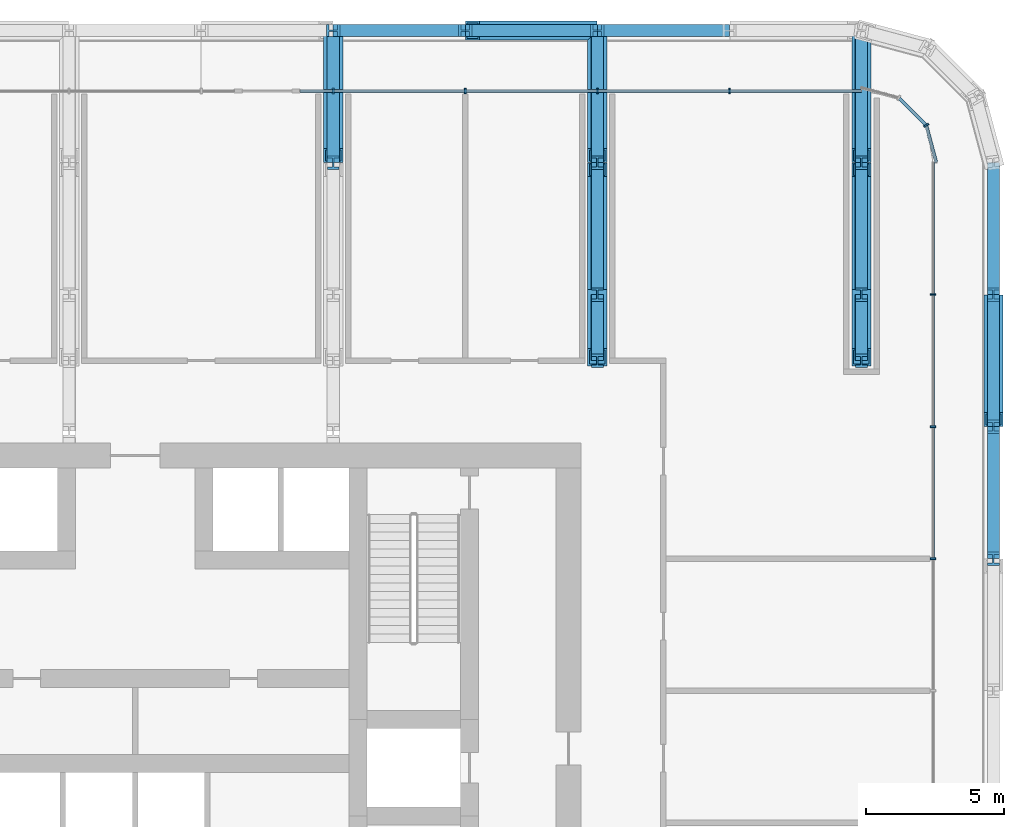
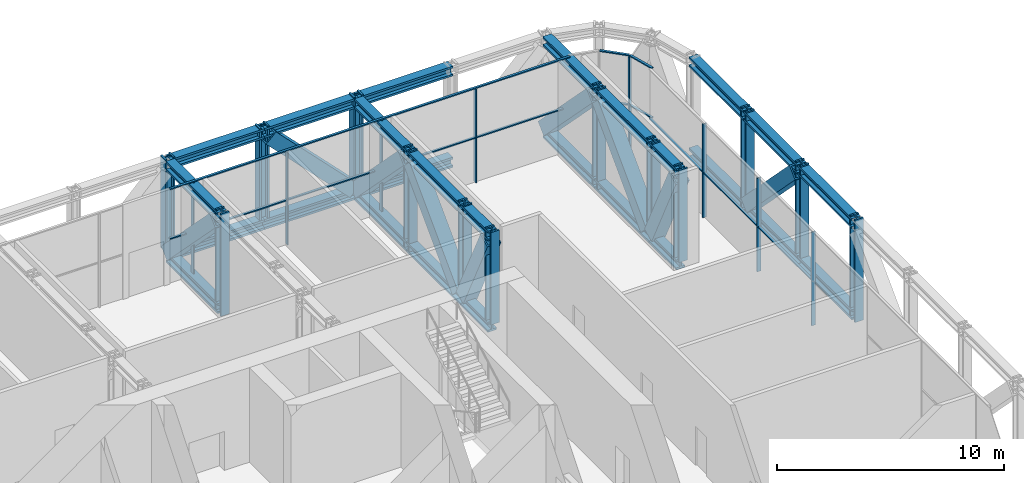
# One storey, part 10 of 23: 69 members, 3 elements without a shape of their own.
"""IFC4 building model written with IfcOpenShell, lengths in metres."""

from ifc_helpers import new_model, si_unit, direction, frame, origin, origin_2d, place, context, subcontext, project, spatial, rectangle, hollow_rectangle, i_section, extrude, material, layer, layer_set, material_profile, profile_set, type_object, element, aggregate, save


model = new_model("IFC4")

# Units and contexts
model_context = context("Model", 3, precision=1e-05, world=origin(), true_north=direction((0.0, 1.0)))
body_context = subcontext(model_context, "Body", "Model", "MODEL_VIEW")
ifc_project = project(units=[si_unit("LENGTHUNIT", "METRE"), si_unit("AREAUNIT", "SQUARE_METRE"), si_unit("VOLUMEUNIT", "CUBIC_METRE"), si_unit("PLANEANGLEUNIT", "RADIAN"), si_unit("MASSUNIT", "GRAM", prefix="KILO")], contexts=[model_context])

# Site, building, storey
site_placement = place(None, origin())
site = spatial("IfcSite", under=ifc_project, at=site_placement, CompositionType="ELEMENT")
building_placement = place(site_placement, origin())
building = spatial("IfcBuilding", under=site, at=building_placement, Name="Madar Terraces", CompositionType="ELEMENT")
storey_placement = place(building_placement, frame((0.0, 0.0, 83.800048828125)))
storey = spatial("IfcBuildingStorey", under=building, at=storey_placement, Name="L21", CompositionType="ELEMENT", Elevation=83.800048828125)

# Members
ifc_material_1 = material(Name="Steel ASTM A913 Grade 65", Category="steel")
ifc_material_profile_1 = material_profile(ifc_material_1, i_section(OverallWidth=0.449462890625, OverallDepth=0.548583984375, WebThickness=0.07177734375, FlangeThickness=0.11474609375, at=origin_2d()), Name="W14x665")
ifc_profile_set_1 = profile_set([ifc_material_profile_1], Name="Steel ASTM A913 Grade 65")
member_type_1 = type_object("IfcMemberType", Name="BC3 W14x665", PredefinedType="CHORD", material=ifc_profile_set_1)
member_1_placement = place(storey_placement, frame((62.39990234375, 33.60009765625, -0.145751953125), z_axis=(0.0, 1.0, 0.0), x_axis=(-1.0, 0.0, 0.0)))
element("IfcMember", 1, at=member_1_placement, inside=storey, type_object=member_type_1, Name="Exoskeleton truss ring bottom chord BC3", PredefinedType="CHORD", context=body_context, shape_type="SweptSolid", body=[
    extrude(i_section(OverallWidth=0.449462890625, OverallDepth=0.548583984375, WebThickness=0.07177734375, FlangeThickness=0.11474609375, at=origin_2d()), origin(), (0.0, 0.0, 1.0), 4.7998046875),
])
for number, where, z_axis, x_axis, name in (
    (2, (62.39990234375, 38.39990234375, -0.145751953125), (0.0, 1.0, 0.0), (-1.0, 0.0, 0.0), "Exoskeleton truss ring bottom chord BC3"),
    (3, (62.39990234375, 43.199951171875, -0.145751953125), (0.0, 1.0, 0.0), (-1.0, 0.0, 0.0), "Exoskeleton truss ring bottom chord BC3"),
    (4, (52.800048828125, 52.800048828125, -0.145751953125), (-1.0, 0.0, 0.0), (0.0, -1.0, 0.0), "Exoskeleton truss ring bottom chord BC3"),
    (5, (48.0, 52.800048828125, -0.145751953125), (-1.0, 0.0, 0.0), (0.0, -1.0, 0.0), "Exoskeleton truss ring bottom chord BC3"),
    (6, (43.199951171875, 52.800048828125, -0.145751953125), (-1.0, 0.0, 0.0), (0.0, -1.0, 0.0), "Exoskeleton truss ring bottom chord BC3"),
):
    element("IfcMember", number, at=place(storey_placement, frame(where, z_axis=z_axis, x_axis=x_axis)), inside=storey, type_object=member_type_1, Name=name, PredefinedType="CHORD", context=body_context, shape_type="SweptSolid", body=[
        extrude(i_section(OverallWidth=0.449462890625, OverallDepth=0.548583984375, WebThickness=0.07177734375, FlangeThickness=0.11474609375, at=origin_2d()), origin(), (0.0, 0.0, 1.0), 4.800048828125),
    ])
for number, where, z_axis, x_axis, name in (
    (7, (38.39990234375, 52.5751953125, -0.145751953125), (0.0, -1.0, 0.0), (1.0, 0.0, 0.0), "Exoskeleton truss cross N38.4 bottom chord BC3"),
    (8, (48.0, 52.5751953125, -0.145751953125), (0.0, -1.0, 0.0), (1.0, 0.0, 0.0), "Exoskeleton truss cross N48 bottom chord BC3"),
):
    element("IfcMember", number, at=place(storey_placement, frame(where, z_axis=z_axis, x_axis=x_axis)), inside=storey, type_object=member_type_1, Name=name, PredefinedType="CHORD", context=body_context, shape_type="SweptSolid", body=[
        extrude(i_section(OverallWidth=0.449462890625, OverallDepth=0.548583984375, WebThickness=0.07177734375, FlangeThickness=0.11474609375, at=origin_2d()), origin(), (0.0, 0.0, 1.0), 4.5751953125),
    ])
member_2_placement = place(storey_placement, frame((48.0, 48.0, -0.145751953125), z_axis=(0.0, -1.0, 0.0), x_axis=(1.0, 0.0, 0.0)))
element("IfcMember", 9, at=member_2_placement, inside=storey, type_object=member_type_1, Name="Exoskeleton truss cross N48 bottom chord BC3", PredefinedType="CHORD", context=body_context, shape_type="SweptSolid", body=[
    extrude(i_section(OverallWidth=0.449462890625, OverallDepth=0.548583984375, WebThickness=0.07177734375, FlangeThickness=0.11474609375, at=origin_2d()), origin(), (0.0, 0.0, 1.0), 4.800048828125),
])
member_3_placement = place(storey_placement, frame((48.0, 43.199951171875, -0.145751953125), z_axis=(0.0, -1.0, 0.0), x_axis=(1.0, 0.0, 0.0)))
element("IfcMember", 10, at=member_3_placement, inside=storey, type_object=member_type_1, Name="Exoskeleton truss cross N48 bottom chord BC3", PredefinedType="CHORD", context=body_context, shape_type="SweptSolid", body=[
    extrude(i_section(OverallWidth=0.449462890625, OverallDepth=0.548583984375, WebThickness=0.07177734375, FlangeThickness=0.11474609375, at=origin_2d()), origin(), (0.0, 0.0, 1.0), 2.39990234375),
])
member_4_placement = place(storey_placement, frame((57.60009765625, 52.5751953125, -0.145751953125), z_axis=(0.0, -1.0, 0.0), x_axis=(1.0, 0.0, 0.0)))
element("IfcMember", 11, at=member_4_placement, inside=storey, type_object=member_type_1, Name="Exoskeleton truss cross N57.6 bottom chord BC3", PredefinedType="CHORD", context=body_context, shape_type="SweptSolid", body=[
    extrude(i_section(OverallWidth=0.449462890625, OverallDepth=0.548583984375, WebThickness=0.07177734375, FlangeThickness=0.11474609375, at=origin_2d()), origin(), (0.0, 0.0, 1.0), 4.5751953125),
])
member_5_placement = place(storey_placement, frame((57.60009765625, 48.0, -0.145751953125), z_axis=(0.0, -1.0, 0.0), x_axis=(1.0, 0.0, 0.0)))
element("IfcMember", 12, at=member_5_placement, inside=storey, type_object=member_type_1, Name="Exoskeleton truss cross N57.6 bottom chord BC3", PredefinedType="CHORD", context=body_context, shape_type="SweptSolid", body=[
    extrude(i_section(OverallWidth=0.449462890625, OverallDepth=0.548583984375, WebThickness=0.07177734375, FlangeThickness=0.11474609375, at=origin_2d()), origin(), (0.0, 0.0, 1.0), 4.800048828125),
])
member_6_placement = place(storey_placement, frame((57.60009765625, 43.199951171875, -0.145751953125), z_axis=(0.0, -1.0, 0.0), x_axis=(1.0, 0.0, 0.0)))
element("IfcMember", 13, at=member_6_placement, inside=storey, type_object=member_type_1, Name="Exoskeleton truss cross N57.6 bottom chord BC3", PredefinedType="CHORD", context=body_context, shape_type="SweptSolid", body=[
    extrude(i_section(OverallWidth=0.449462890625, OverallDepth=0.548583984375, WebThickness=0.07177734375, FlangeThickness=0.11474609375, at=origin_2d()), origin(), (0.0, 0.0, 1.0), 2.39990234375),
])

# Curtain wall, members
ifc_material_2 = material(Name="Glass, ceramic frit dark grey, with black aluminium frame", Category="aluminium")
ifc_layer = layer(ifc_material_2, 0.199951171875)
ifc_layer_set = layer_set([ifc_layer], Name="Facade curtain wall, tall glazing")
curtain_wall_type = type_object("IfcCurtainWallType", Name="Facade curtain wall, tall glazing", PredefinedType="NOTDEFINED", material=ifc_layer_set)
curtain_wall_1_placement = place(storey_placement, origin())
curtain_wall_1 = element("IfcCurtainWall", 14, at=curtain_wall_1_placement, inside=storey, type_object=curtain_wall_type, Name="Outer skin curtain wall east bay 1", PredefinedType="NOTDEFINED")
ifc_material_3 = material(Name="Aluminium, black anodised", Category="aluminium")
ifc_material_profile_2 = material_profile(ifc_material_3, rectangle(XDim=0.199951171875, YDim=0.06005859375, at=origin_2d()), Name="Facade mullion 60x200")
ifc_profile_set_2 = profile_set([ifc_material_profile_2], Name="Aluminium, black anodised")
member_type_2 = type_object("IfcMemberType", Name="Facade mullion 60x200", PredefinedType="MULLION", material=ifc_profile_set_2)
member_7_placement = place(storey_placement, frame((60.199951171875, 33.60009765625, 0.0), z_axis=(0.0, 0.0, 1.0), x_axis=(-1.0, 0.0, 0.0)))
member_7 = element("IfcMember", 15, at=member_7_placement, type_object=member_type_2, Name="Mullion 5", PredefinedType="MULLION", context=body_context, shape_type="SweptSolid", body=[
    extrude(rectangle(XDim=0.199951171875, YDim=0.06005859375, at=origin_2d()), origin(), (0.0, 0.0, 1.0), 5.0400390625),
])
member_8_placement = place(storey_placement, frame((60.199951171875, 38.39990234375, 0.0), z_axis=(0.0, 0.0, 1.0), x_axis=(-1.0, 0.0, 0.0)))
member_8 = element("IfcMember", 16, at=member_8_placement, type_object=member_type_2, Name="Mullion 6", PredefinedType="MULLION", context=body_context, shape_type="SweptSolid", body=[
    extrude(rectangle(XDim=0.199951171875, YDim=0.06005859375, at=origin_2d()), origin(), (0.0, 0.0, 1.0), 5.0400390625),
])
member_9_placement = place(storey_placement, frame((60.199951171875, 43.199951171875, 0.0), z_axis=(0.0, 0.0, 1.0), x_axis=(-1.0, 0.0, 0.0)))
member_9 = element("IfcMember", 17, at=member_9_placement, type_object=member_type_2, Name="Mullion 7", PredefinedType="MULLION", context=body_context, shape_type="SweptSolid", body=[
    extrude(rectangle(XDim=0.199951171875, YDim=0.06005859375, at=origin_2d()), origin(), (0.0, 0.0, 1.0), 5.0400390625),
])

curtain_wall_2_placement = place(storey_placement, origin())
curtain_wall_2 = element("IfcCurtainWall", 18, at=curtain_wall_2_placement, inside=storey, type_object=curtain_wall_type, Name="Outer skin curtain wall north bay 1", PredefinedType="NOTDEFINED")
member_10_placement = place(storey_placement, frame((52.800048828125, 50.60009765625, 0.0), z_axis=(0.0, 0.0, 1.0), x_axis=(0.0, -1.0, 0.0)))
member_10 = element("IfcMember", 19, at=member_10_placement, type_object=member_type_2, Name="Mullion 1", PredefinedType="MULLION", context=body_context, shape_type="SweptSolid", body=[
    extrude(rectangle(XDim=0.199951171875, YDim=0.06005859375, at=origin_2d()), origin(), (0.0, 0.0, 1.0), 5.0400390625),
])
member_11_placement = place(storey_placement, frame((48.0, 50.60009765625, 0.0), z_axis=(0.0, 0.0, 1.0), x_axis=(0.0, -1.0, 0.0)))
member_11 = element("IfcMember", 20, at=member_11_placement, type_object=member_type_2, Name="Mullion 2", PredefinedType="MULLION", context=body_context, shape_type="SweptSolid", body=[
    extrude(rectangle(XDim=0.199951171875, YDim=0.06005859375, at=origin_2d()), origin(), (0.0, 0.0, 1.0), 5.0400390625),
])
member_12_placement = place(storey_placement, frame((43.199951171875, 50.60009765625, 0.0), z_axis=(0.0, 0.0, 1.0), x_axis=(0.0, -1.0, 0.0)))
member_12 = element("IfcMember", 21, at=member_12_placement, type_object=member_type_2, Name="Mullion 3", PredefinedType="MULLION", context=body_context, shape_type="SweptSolid", body=[
    extrude(rectangle(XDim=0.199951171875, YDim=0.06005859375, at=origin_2d()), origin(), (0.0, 0.0, 1.0), 5.0400390625),
])
member_13_placement = place(storey_placement, frame((38.39990234375, 50.60009765625, 0.0), z_axis=(0.0, 0.0, 1.0), x_axis=(0.0, -1.0, 0.0)))
member_13 = element("IfcMember", 22, at=member_13_placement, type_object=member_type_2, Name="Mullion 4", PredefinedType="MULLION", context=body_context, shape_type="SweptSolid", body=[
    extrude(rectangle(XDim=0.199951171875, YDim=0.06005859375, at=origin_2d()), origin(), (0.0, 0.0, 1.0), 5.0400390625),
])

# Curtain wall, member
curtain_wall_3_placement = place(storey_placement, origin())
curtain_wall_3 = element("IfcCurtainWall", 23, at=curtain_wall_3_placement, inside=storey, type_object=curtain_wall_type, Name="Outer skin curtain wall north-east corner", PredefinedType="NOTDEFINED")
member_14_placement = place(storey_placement, frame((59.95556640625, 49.360107421875, 0.0), z_axis=(0.0, 0.0, 1.0), x_axis=(-0.866025386925, -0.500000029202, 0.0)))
member_14 = element("IfcMember", 24, at=member_14_placement, type_object=member_type_2, Name="Mullion 1", PredefinedType="MULLION", context=body_context, shape_type="SweptSolid", body=[
    extrude(rectangle(XDim=0.199951171875, YDim=0.06005859375, at=origin_2d()), origin(), (0.0, 0.0, 1.0), 5.0400390625),
])

# Member
ifc_material_4 = material(Name="Aluminium, black anodised", Category="aluminium")
ifc_material_profile_3 = material_profile(ifc_material_4, rectangle(XDim=0.1201171875, YDim=0.06005859375, at=origin_2d()), Name="Facade transom 60x120")
ifc_profile_set_3 = profile_set([ifc_material_profile_3], Name="Aluminium, black anodised")
member_type_3 = type_object("IfcMemberType", Name="Facade transom 60x120", PredefinedType="USERDEFINED", material=ifc_profile_set_3)
member_15_placement = place(storey_placement, frame((60.199951171875, 33.6298828125, 2.39990234375), z_axis=(0.0, 1.0, 0.0), x_axis=(-1.0, 0.0, 0.0)))
member_15 = element("IfcMember", 25, at=member_15_placement, type_object=member_type_3, Name="Transom 7", ObjectType="TRANSOM", PredefinedType="USERDEFINED", context=body_context, shape_type="SweptSolid", body=[
    extrude(rectangle(XDim=0.1201171875, YDim=0.06005859375, at=origin_2d()), origin(), (0.0, 0.0, 1.0), 4.740234375),
])

member_16_placement = place(storey_placement, frame((60.199951171875, 38.429931640625, 2.39990234375), z_axis=(0.0, 1.0, 0.0), x_axis=(-1.0, 0.0, 0.0)))
member_16 = element("IfcMember", 26, at=member_16_placement, type_object=member_type_3, Name="Transom 8", ObjectType="TRANSOM", PredefinedType="USERDEFINED", context=body_context, shape_type="SweptSolid", body=[
    extrude(rectangle(XDim=0.1201171875, YDim=0.06005859375, at=origin_2d()), origin(), (0.0, 0.0, 1.0), 4.739990234375),
])

member_17_placement = place(storey_placement, frame((60.199951171875, 43.22998046875, 2.39990234375), z_axis=(0.0, 1.0, 0.0), x_axis=(-1.0, 0.0, 0.0)))
member_17 = element("IfcMember", 27, at=member_17_placement, type_object=member_type_3, Name="Transom 9", ObjectType="TRANSOM", PredefinedType="USERDEFINED", context=body_context, shape_type="SweptSolid", body=[
    extrude(rectangle(XDim=0.1201171875, YDim=0.06005859375, at=origin_2d()), origin(), (0.0, 0.0, 1.0), 4.77001953125),
])

aggregate(curtain_wall_1, [member_7, member_8, member_9, member_15, member_16, member_17])

member_18_placement = place(storey_placement, frame((57.60009765625, 50.60009765625, 5.070068359375), z_axis=(-1.0, 0.0, 0.0), x_axis=(0.0, -1.0, 0.0)))
member_18 = element("IfcMember", 28, at=member_18_placement, type_object=member_type_3, Name="Transom 1", ObjectType="TRANSOM", PredefinedType="USERDEFINED", context=body_context, shape_type="SweptSolid", body=[
    extrude(rectangle(XDim=0.1201171875, YDim=0.06005859375, at=origin_2d()), origin(), (0.0, 0.0, 1.0), 20.400146484375),
])

member_19_placement = place(storey_placement, frame((57.60009765625, 50.60009765625, 2.39990234375), z_axis=(-1.0, 0.0, 0.0), x_axis=(0.0, -1.0, 0.0)))
member_19 = element("IfcMember", 29, at=member_19_placement, type_object=member_type_3, Name="Transom 2", ObjectType="TRANSOM", PredefinedType="USERDEFINED", context=body_context, shape_type="SweptSolid", body=[
    extrude(rectangle(XDim=0.1201171875, YDim=0.06005859375, at=origin_2d()), origin(), (0.0, 0.0, 1.0), 4.77001953125),
])

member_20_placement = place(storey_placement, frame((52.77001953125, 50.60009765625, 2.39990234375), z_axis=(-1.0, 0.0, 0.0), x_axis=(0.0, -1.0, 0.0)))
member_20 = element("IfcMember", 30, at=member_20_placement, type_object=member_type_3, Name="Transom 3", ObjectType="TRANSOM", PredefinedType="USERDEFINED", context=body_context, shape_type="SweptSolid", body=[
    extrude(rectangle(XDim=0.1201171875, YDim=0.06005859375, at=origin_2d()), origin(), (0.0, 0.0, 1.0), 4.739990234375),
])

member_21_placement = place(storey_placement, frame((47.969970703125, 50.60009765625, 2.39990234375), z_axis=(-1.0, 0.0, 0.0), x_axis=(0.0, -1.0, 0.0)))
member_21 = element("IfcMember", 31, at=member_21_placement, type_object=member_type_3, Name="Transom 4", ObjectType="TRANSOM", PredefinedType="USERDEFINED", context=body_context, shape_type="SweptSolid", body=[
    extrude(rectangle(XDim=0.1201171875, YDim=0.06005859375, at=origin_2d()), origin(), (0.0, 0.0, 1.0), 4.739990234375),
])

member_22_placement = place(storey_placement, frame((43.169921875, 50.60009765625, 2.39990234375), z_axis=(-1.0, 0.0, 0.0), x_axis=(0.0, -1.0, 0.0)))
member_22 = element("IfcMember", 32, at=member_22_placement, type_object=member_type_3, Name="Transom 5", ObjectType="TRANSOM", PredefinedType="USERDEFINED", context=body_context, shape_type="SweptSolid", body=[
    extrude(rectangle(XDim=0.1201171875, YDim=0.06005859375, at=origin_2d()), origin(), (0.0, 0.0, 1.0), 4.739990234375),
])

member_23_placement = place(storey_placement, frame((38.3701171875, 50.60009765625, 2.39990234375), z_axis=(-1.0, 0.0, 0.0), x_axis=(0.0, -1.0, 0.0)))
member_23 = element("IfcMember", 33, at=member_23_placement, type_object=member_type_3, Name="Transom 6", ObjectType="TRANSOM", PredefinedType="USERDEFINED", context=body_context, shape_type="SweptSolid", body=[
    extrude(rectangle(XDim=0.1201171875, YDim=0.06005859375, at=origin_2d()), origin(), (0.0, 0.0, 1.0), 1.170166015625),
])

aggregate(curtain_wall_2, [member_10, member_11, member_12, member_13, member_18, member_19, member_20, member_21, member_22, member_23])

member_24_placement = place(storey_placement, frame((60.320068359375, 48.0, 5.070068359375), z_axis=(-0.258842352791, 0.965919580711, 0.0), x_axis=(-0.965919580711, -0.258842352791, 0.0)))
member_24 = element("IfcMember", 34, at=member_24_placement, type_object=member_type_3, Name="Transom 1", ObjectType="TRANSOM", PredefinedType="USERDEFINED", context=body_context, shape_type="SweptSolid", body=[
    extrude(rectangle(XDim=0.1201171875, YDim=0.06005859375, at=origin_2d()), origin(), (0.0, 0.0, 1.0), 1.3779296875),
])

member_25_placement = place(storey_placement, frame((60.320068359375, 48.0, 2.39990234375), z_axis=(-0.258842352791, 0.965919580711, 0.0), x_axis=(-0.965919580711, -0.258842352791, 0.0)))
member_25 = element("IfcMember", 35, at=member_25_placement, type_object=member_type_3, Name="Transom 2", ObjectType="TRANSOM", PredefinedType="USERDEFINED", context=body_context, shape_type="SweptSolid", body=[
    extrude(rectangle(XDim=0.1201171875, YDim=0.06005859375, at=origin_2d()), origin(), (0.0, 0.0, 1.0), 1.3779296875),
])

member_26_placement = place(storey_placement, frame((59.934326171875, 49.381103515625, 5.070068359375), z_axis=(-0.707016225155, 0.707197325622, 0.0), x_axis=(-0.707197325622, -0.707016225155, 0.0)))
member_26 = element("IfcMember", 36, at=member_26_placement, type_object=member_type_3, Name="Transom 3", ObjectType="TRANSOM", PredefinedType="USERDEFINED", context=body_context, shape_type="SweptSolid", body=[
    extrude(rectangle(XDim=0.1201171875, YDim=0.06005859375, at=origin_2d()), origin(), (0.0, 0.0, 1.0), 1.34814453125),
])

member_27_placement = place(storey_placement, frame((59.934326171875, 49.381103515625, 2.39990234375), z_axis=(-0.707016225155, 0.707197325622, 0.0), x_axis=(-0.707197325622, -0.707016225155, 0.0)))
member_27 = element("IfcMember", 37, at=member_27_placement, type_object=member_type_3, Name="Transom 4", ObjectType="TRANSOM", PredefinedType="USERDEFINED", context=body_context, shape_type="SweptSolid", body=[
    extrude(rectangle(XDim=0.1201171875, YDim=0.06005859375, at=origin_2d()), origin(), (0.0, 0.0, 1.0), 1.34814453125),
])

aggregate(curtain_wall_3, [member_14, member_24, member_25, member_26, member_27])

# Members
ifc_material_5 = material(Name="Steel ASTM A913 Grade 65", Category="steel")
ifc_material_profile_4 = material_profile(ifc_material_5, i_section(OverallWidth=0.44189453125, OverallDepth=0.53076171875, WebThickness=0.06591796875, FlangeThickness=0.105712890625, at=origin_2d()), Name="W14x605")
ifc_profile_set_4 = profile_set([ifc_material_profile_4], Name="Steel ASTM A913 Grade 65")
member_type_4 = type_object("IfcMemberType", Name="TC3 W14x605", PredefinedType="CHORD", material=ifc_profile_set_4)
member_28_placement = place(storey_placement, frame((62.39990234375, 33.60009765625, 4.764404296875), z_axis=(0.0, 1.0, 0.0), x_axis=(-1.0, 0.0, 0.0)))
element("IfcMember", 38, at=member_28_placement, inside=storey, type_object=member_type_4, Name="Exoskeleton truss ring top chord TC3", PredefinedType="CHORD", context=body_context, shape_type="SweptSolid", body=[
    extrude(i_section(OverallWidth=0.44189453125, OverallDepth=0.53076171875, WebThickness=0.06591796875, FlangeThickness=0.105712890625, at=origin_2d()), origin(), (0.0, 0.0, 1.0), 4.7998046875),
])
for number, where, z_axis, x_axis, name in (
    (39, (62.39990234375, 38.39990234375, 4.764404296875), (0.0, 1.0, 0.0), (-1.0, 0.0, 0.0), "Exoskeleton truss ring top chord TC3"),
    (40, (62.39990234375, 43.199951171875, 4.764404296875), (0.0, 1.0, 0.0), (-1.0, 0.0, 0.0), "Exoskeleton truss ring top chord TC3"),
    (41, (52.800048828125, 52.800048828125, 4.764404296875), (-1.0, 0.0, 0.0), (0.0, -1.0, 0.0), "Exoskeleton truss ring top chord TC3"),
    (42, (48.0, 52.800048828125, 4.764404296875), (-1.0, 0.0, 0.0), (0.0, -1.0, 0.0), "Exoskeleton truss ring top chord TC3"),
    (43, (43.199951171875, 52.800048828125, 4.764404296875), (-1.0, 0.0, 0.0), (0.0, -1.0, 0.0), "Exoskeleton truss ring top chord TC3"),
):
    element("IfcMember", number, at=place(storey_placement, frame(where, z_axis=z_axis, x_axis=x_axis)), inside=storey, type_object=member_type_4, Name=name, PredefinedType="CHORD", context=body_context, shape_type="SweptSolid", body=[
        extrude(i_section(OverallWidth=0.44189453125, OverallDepth=0.53076171875, WebThickness=0.06591796875, FlangeThickness=0.105712890625, at=origin_2d()), origin(), (0.0, 0.0, 1.0), 4.800048828125),
    ])
for number, where, z_axis, x_axis, name in (
    (44, (38.39990234375, 52.5791015625, 4.764404296875), (0.0, -1.0, 0.0), (1.0, 0.0, 0.0), "Exoskeleton truss cross N38.4 top chord TC3"),
    (45, (48.0, 52.5791015625, 4.764404296875), (0.0, -1.0, 0.0), (1.0, 0.0, 0.0), "Exoskeleton truss cross N48 top chord TC3"),
):
    element("IfcMember", number, at=place(storey_placement, frame(where, z_axis=z_axis, x_axis=x_axis)), inside=storey, type_object=member_type_4, Name=name, PredefinedType="CHORD", context=body_context, shape_type="SweptSolid", body=[
        extrude(i_section(OverallWidth=0.44189453125, OverallDepth=0.53076171875, WebThickness=0.06591796875, FlangeThickness=0.105712890625, at=origin_2d()), origin(), (0.0, 0.0, 1.0), 4.5791015625),
    ])
member_29_placement = place(storey_placement, frame((48.0, 48.0, 4.764404296875), z_axis=(0.0, -1.0, 0.0), x_axis=(1.0, 0.0, 0.0)))
element("IfcMember", 46, at=member_29_placement, inside=storey, type_object=member_type_4, Name="Exoskeleton truss cross N48 top chord TC3", PredefinedType="CHORD", context=body_context, shape_type="SweptSolid", body=[
    extrude(i_section(OverallWidth=0.44189453125, OverallDepth=0.53076171875, WebThickness=0.06591796875, FlangeThickness=0.105712890625, at=origin_2d()), origin(), (0.0, 0.0, 1.0), 4.800048828125),
])
member_30_placement = place(storey_placement, frame((48.0, 43.199951171875, 4.764404296875), z_axis=(0.0, -1.0, 0.0), x_axis=(1.0, 0.0, 0.0)))
element("IfcMember", 47, at=member_30_placement, inside=storey, type_object=member_type_4, Name="Exoskeleton truss cross N48 top chord TC3", PredefinedType="CHORD", context=body_context, shape_type="SweptSolid", body=[
    extrude(i_section(OverallWidth=0.44189453125, OverallDepth=0.53076171875, WebThickness=0.06591796875, FlangeThickness=0.105712890625, at=origin_2d()), origin(), (0.0, 0.0, 1.0), 2.39990234375),
])
member_31_placement = place(storey_placement, frame((57.60009765625, 52.5791015625, 4.764404296875), z_axis=(0.0, -1.0, 0.0), x_axis=(1.0, 0.0, 0.0)))
element("IfcMember", 48, at=member_31_placement, inside=storey, type_object=member_type_4, Name="Exoskeleton truss cross N57.6 top chord TC3", PredefinedType="CHORD", context=body_context, shape_type="SweptSolid", body=[
    extrude(i_section(OverallWidth=0.44189453125, OverallDepth=0.53076171875, WebThickness=0.06591796875, FlangeThickness=0.105712890625, at=origin_2d()), origin(), (0.0, 0.0, 1.0), 4.5791015625),
])
member_32_placement = place(storey_placement, frame((57.60009765625, 48.0, 4.764404296875), z_axis=(0.0, -1.0, 0.0), x_axis=(1.0, 0.0, 0.0)))
element("IfcMember", 49, at=member_32_placement, inside=storey, type_object=member_type_4, Name="Exoskeleton truss cross N57.6 top chord TC3", PredefinedType="CHORD", context=body_context, shape_type="SweptSolid", body=[
    extrude(i_section(OverallWidth=0.44189453125, OverallDepth=0.53076171875, WebThickness=0.06591796875, FlangeThickness=0.105712890625, at=origin_2d()), origin(), (0.0, 0.0, 1.0), 4.800048828125),
])
member_33_placement = place(storey_placement, frame((57.60009765625, 43.199951171875, 4.764404296875), z_axis=(0.0, -1.0, 0.0), x_axis=(1.0, 0.0, 0.0)))
element("IfcMember", 50, at=member_33_placement, inside=storey, type_object=member_type_4, Name="Exoskeleton truss cross N57.6 top chord TC3", PredefinedType="CHORD", context=body_context, shape_type="SweptSolid", body=[
    extrude(i_section(OverallWidth=0.44189453125, OverallDepth=0.53076171875, WebThickness=0.06591796875, FlangeThickness=0.105712890625, at=origin_2d()), origin(), (0.0, 0.0, 1.0), 2.39990234375),
])
ifc_material_6 = material(Name="Steel ASTM A572 Grade 50", Category="steel")
ifc_material_profile_5 = material_profile(ifc_material_6, hollow_rectangle(XDim=0.699951171875, YDim=0.699951171875, WallThickness=0.070068359375, at=origin_2d()), Name="BOX700x700x70")
ifc_profile_set_5 = profile_set([ifc_material_profile_5], Name="Steel ASTM A572 Grade 50")
member_type_5 = type_object("IfcMemberType", Name="TD3 BOX700x700x70", PredefinedType="BRACE", material=ifc_profile_set_5)
for number, where, z_axis, x_axis, name in (
    (51, (62.39990234375, 38.659423828125, 4.4990234375), (0.0, 0.699052279579, -0.715070563242), (-1.0, 0.0, 0.0), "Exoskeleton truss ring diagonal TD3"),
    (52, (47.73193359375, 52.800048828125, 0.128662109375), (-0.699052279579, 0.0, 0.715070563242), (0.0, -1.0, 0.0), "Exoskeleton truss ring diagonal TD3"),
):
    element("IfcMember", number, at=place(storey_placement, frame(where, z_axis=z_axis, x_axis=x_axis)), inside=storey, type_object=member_type_5, Name=name, PredefinedType="BRACE", context=body_context, shape_type="SweptSolid", body=[
        extrude(hollow_rectangle(XDim=0.699951171875, YDim=0.699951171875, WallThickness=0.070068359375, at=origin_2d()), origin(), (0.0, 0.0, 1.0), 6.11181640625),
    ])
for number, where, z_axis, x_axis, name in (
    (53, (38.39990234375, 52.53173828125, 0.128662109375), (0.0, -0.699031853378, 0.715090531306), (1.0, 0.0, 0.0), "Exoskeleton truss cross N38.4 diagonal TD3"),
    (54, (48.0, 52.53173828125, 0.128662109375), (0.0, -0.699031853378, 0.715090531306), (1.0, 0.0, 0.0), "Exoskeleton truss cross N48 diagonal TD3"),
    (55, (48.0, 47.740478515625, 4.4990234375), (0.0, -0.699031853378, -0.715090531306), (1.0, 0.0, 0.0), "Exoskeleton truss cross N48 diagonal TD3"),
):
    element("IfcMember", number, at=place(storey_placement, frame(where, z_axis=z_axis, x_axis=x_axis)), inside=storey, type_object=member_type_5, Name=name, PredefinedType="BRACE", context=body_context, shape_type="SweptSolid", body=[
        extrude(hollow_rectangle(XDim=0.699951171875, YDim=0.699951171875, WallThickness=0.070068359375, at=origin_2d()), origin(), (0.0, 0.0, 1.0), 6.111572265625),
    ])
member_34_placement = place(storey_placement, frame((48.0, 43.06591796875, 0.128662109375), z_axis=(0.0, -0.439145320484, 0.898416043655), x_axis=(1.0, 0.0, 0.0)))
element("IfcMember", 56, at=member_34_placement, inside=storey, type_object=member_type_5, Name="Exoskeleton truss cross N48 diagonal TD3", PredefinedType="BRACE", context=body_context, shape_type="SweptSolid", body=[
    extrude(hollow_rectangle(XDim=0.699951171875, YDim=0.699951171875, WallThickness=0.070068359375, at=origin_2d()), origin(), (0.0, 0.0, 1.0), 4.864501953125),
])
for number, where, z_axis, x_axis, name in (
    (57, (57.60009765625, 52.53173828125, 0.128662109375), (0.0, -0.699031853378, 0.715090531306), (1.0, 0.0, 0.0), "Exoskeleton truss cross N57.6 diagonal TD3"),
    (58, (57.60009765625, 47.740478515625, 4.4990234375), (0.0, -0.699031853378, -0.715090531306), (1.0, 0.0, 0.0), "Exoskeleton truss cross N57.6 diagonal TD3"),
):
    element("IfcMember", number, at=place(storey_placement, frame(where, z_axis=z_axis, x_axis=x_axis)), inside=storey, type_object=member_type_5, Name=name, PredefinedType="BRACE", context=body_context, shape_type="SweptSolid", body=[
        extrude(hollow_rectangle(XDim=0.699951171875, YDim=0.699951171875, WallThickness=0.070068359375, at=origin_2d()), origin(), (0.0, 0.0, 1.0), 6.111572265625),
    ])
member_35_placement = place(storey_placement, frame((57.60009765625, 43.06591796875, 0.128662109375), z_axis=(0.0, -0.439145320484, 0.898416043655), x_axis=(1.0, 0.0, 0.0)))
element("IfcMember", 59, at=member_35_placement, inside=storey, type_object=member_type_5, Name="Exoskeleton truss cross N57.6 diagonal TD3", PredefinedType="BRACE", context=body_context, shape_type="SweptSolid", body=[
    extrude(hollow_rectangle(XDim=0.699951171875, YDim=0.699951171875, WallThickness=0.070068359375, at=origin_2d()), origin(), (0.0, 0.0, 1.0), 4.864501953125),
])
ifc_material_7 = material(Name="Steel ASTM A913 Grade 65", Category="steel")
ifc_material_profile_6 = material_profile(ifc_material_7, i_section(OverallWidth=0.431884765625, OverallDepth=0.497802734375, WebThickness=0.0556640625, FlangeThickness=0.0888671875, at=origin_2d()), Name="W14x500")
ifc_profile_set_6 = profile_set([ifc_material_profile_6], Name="Steel ASTM A913 Grade 65")
member_type_6 = type_object("IfcMemberType", Name="TV3 W14x500", PredefinedType="POST", material=ifc_profile_set_6)
member_36_placement = place(storey_placement, frame((62.39990234375, 33.60009765625, -0.420166015625), z_axis=(0.0, 0.0, 1.0), x_axis=(-1.0, 0.0, 0.0)))
element("IfcMember", 60, at=member_36_placement, inside=storey, type_object=member_type_6, Name="Exoskeleton truss ring post TV3", PredefinedType="POST", context=body_context, shape_type="SweptSolid", body=[
    extrude(i_section(OverallWidth=0.431884765625, OverallDepth=0.497802734375, WebThickness=0.0556640625, FlangeThickness=0.0888671875, at=origin_2d()), origin(), (0.0, 0.0, 1.0), 5.52001953125),
])
member_37_placement = place(storey_placement, frame((62.39990234375, 38.39990234375, 0.128662109375), z_axis=(0.0, 0.0, 1.0), x_axis=(-1.0, 0.0, 0.0)))
element("IfcMember", 61, at=member_37_placement, inside=storey, type_object=member_type_6, Name="Exoskeleton truss ring post TV3", PredefinedType="POST", context=body_context, shape_type="SweptSolid", body=[
    extrude(i_section(OverallWidth=0.431884765625, OverallDepth=0.497802734375, WebThickness=0.0556640625, FlangeThickness=0.0888671875, at=origin_2d()), origin(), (0.0, 0.0, 1.0), 4.97119140625),
])
member_38_placement = place(storey_placement, frame((62.39990234375, 43.199951171875, -0.420166015625), z_axis=(0.0, 0.0, 1.0), x_axis=(-1.0, 0.0, 0.0)))
element("IfcMember", 62, at=member_38_placement, inside=storey, type_object=member_type_6, Name="Exoskeleton truss ring post TV3", PredefinedType="POST", context=body_context, shape_type="SweptSolid", body=[
    extrude(i_section(OverallWidth=0.431884765625, OverallDepth=0.497802734375, WebThickness=0.0556640625, FlangeThickness=0.0888671875, at=origin_2d()), origin(), (0.0, 0.0, 1.0), 5.52001953125),
])
for number, where, z_axis, x_axis, name in (
    (63, (48.0, 52.800048828125, 0.128662109375), (0.0, 0.0, 1.0), (0.0, -1.0, 0.0), "Exoskeleton truss ring post TV3"),
    (64, (43.199951171875, 52.800048828125, 0.128662109375), (0.0, 0.0, 1.0), (0.0, -1.0, 0.0), "Exoskeleton truss ring post TV3"),
    (65, (38.39990234375, 52.800048828125, 0.128662109375), (0.0, 0.0, 1.0), (0.0, -1.0, 0.0), "Exoskeleton truss ring post TV3"),
):
    element("IfcMember", number, at=place(storey_placement, frame(where, z_axis=z_axis, x_axis=x_axis)), inside=storey, type_object=member_type_6, Name=name, PredefinedType="POST", context=body_context, shape_type="SweptSolid", body=[
        extrude(i_section(OverallWidth=0.431884765625, OverallDepth=0.497802734375, WebThickness=0.0556640625, FlangeThickness=0.0888671875, at=origin_2d()), origin(), (0.0, 0.0, 1.0), 4.97119140625),
    ])
for number, where, z_axis, x_axis, name in (
    (66, (38.39990234375, 48.0, -0.420166015625), (0.0, 0.0, 1.0), (-1.0, 0.0, 0.0), "Exoskeleton truss cross N38.4 post TV3"),
    (67, (48.0, 48.0, -0.420166015625), (0.0, 0.0, 1.0), (-1.0, 0.0, 0.0), "Exoskeleton truss cross N48 post TV3"),
):
    element("IfcMember", number, at=place(storey_placement, frame(where, z_axis=z_axis, x_axis=x_axis)), inside=storey, type_object=member_type_6, Name=name, PredefinedType="POST", context=body_context, shape_type="SweptSolid", body=[
        extrude(i_section(OverallWidth=0.431884765625, OverallDepth=0.497802734375, WebThickness=0.0556640625, FlangeThickness=0.0888671875, at=origin_2d()), origin(), (0.0, 0.0, 1.0), 5.52001953125),
    ])
for number, where, z_axis, x_axis, name in (
    (68, (48.0, 43.199951171875, 0.128662109375), (0.0, 0.0, 1.0), (-1.0, 0.0, 0.0), "Exoskeleton truss cross N48 post TV3"),
    (69, (48.0, 40.800048828125, 0.128662109375), (0.0, 0.0, 1.0), (-1.0, 0.0, 0.0), "Exoskeleton truss cross N48 post TV3"),
):
    element("IfcMember", number, at=place(storey_placement, frame(where, z_axis=z_axis, x_axis=x_axis)), inside=storey, type_object=member_type_6, Name=name, PredefinedType="POST", context=body_context, shape_type="SweptSolid", body=[
        extrude(i_section(OverallWidth=0.431884765625, OverallDepth=0.497802734375, WebThickness=0.0556640625, FlangeThickness=0.0888671875, at=origin_2d()), origin(), (0.0, 0.0, 1.0), 4.97119140625),
    ])
member_39_placement = place(storey_placement, frame((57.60009765625, 48.0, -0.420166015625), z_axis=(0.0, 0.0, 1.0), x_axis=(-1.0, 0.0, 0.0)))
element("IfcMember", 70, at=member_39_placement, inside=storey, type_object=member_type_6, Name="Exoskeleton truss cross N57.6 post TV3", PredefinedType="POST", context=body_context, shape_type="SweptSolid", body=[
    extrude(i_section(OverallWidth=0.431884765625, OverallDepth=0.497802734375, WebThickness=0.0556640625, FlangeThickness=0.0888671875, at=origin_2d()), origin(), (0.0, 0.0, 1.0), 5.52001953125),
])
for number, where, z_axis, x_axis, name in (
    (71, (57.60009765625, 43.199951171875, 0.128662109375), (0.0, 0.0, 1.0), (-1.0, 0.0, 0.0), "Exoskeleton truss cross N57.6 post TV3"),
    (72, (57.60009765625, 40.800048828125, 0.128662109375), (0.0, 0.0, 1.0), (-1.0, 0.0, 0.0), "Exoskeleton truss cross N57.6 post TV3"),
):
    element("IfcMember", number, at=place(storey_placement, frame(where, z_axis=z_axis, x_axis=x_axis)), inside=storey, type_object=member_type_6, Name=name, PredefinedType="POST", context=body_context, shape_type="SweptSolid", body=[
        extrude(i_section(OverallWidth=0.431884765625, OverallDepth=0.497802734375, WebThickness=0.0556640625, FlangeThickness=0.0888671875, at=origin_2d()), origin(), (0.0, 0.0, 1.0), 4.97119140625),
    ])

save(model, "model.ifc")
